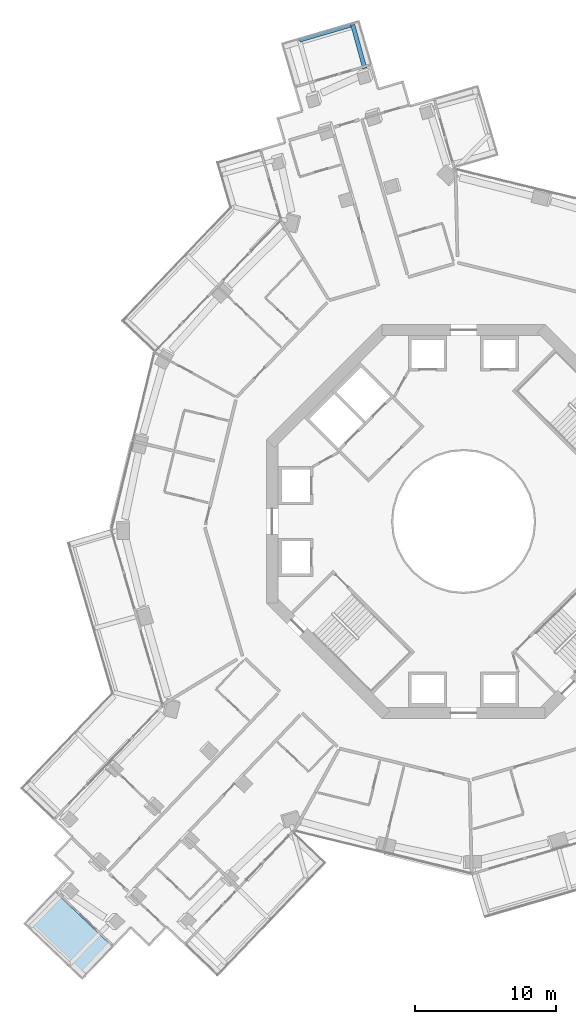
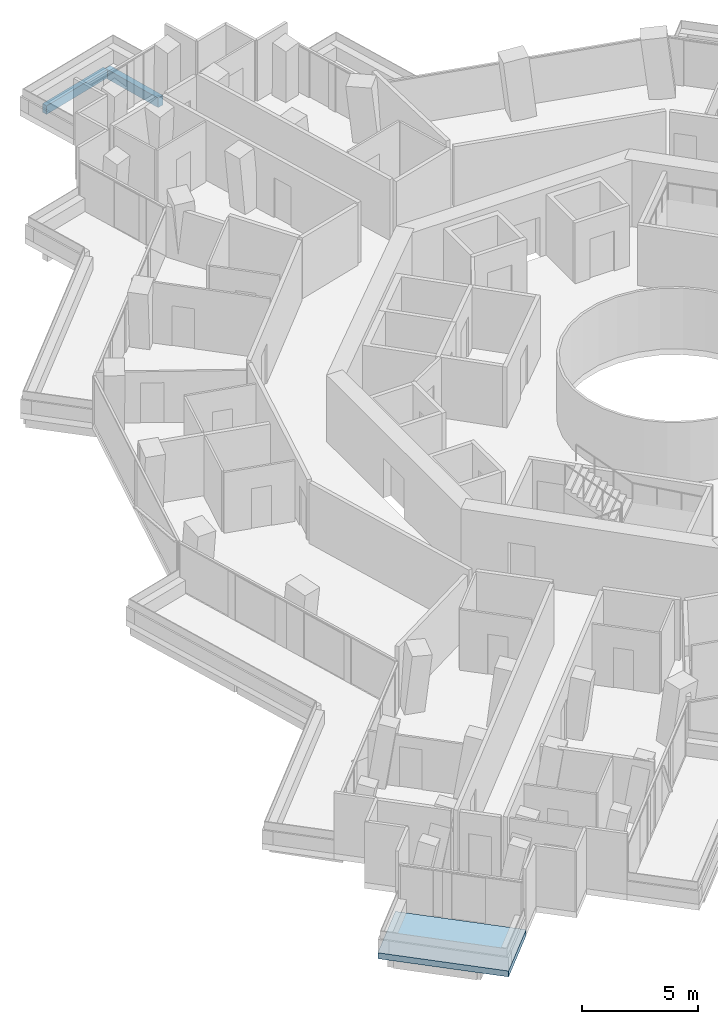
# One storey, part 11 of 25: 2 beams, 1 slab.
"""IFC4 building model written with IfcOpenShell, lengths in metres."""

from ifc_helpers import new_model, si_unit, direction, frame, origin, origin_2d, place, context, subcontext, project, spatial, polyline, rectangle, outline, extrude, material, layer, layer_set, material_profile, profile_set, type_object, element, save


model = new_model("IFC4")

# Units and contexts
model_context = context("Model", 3, precision=1e-05, world=origin(), true_north=direction((0.0, 1.0)))
body_context = subcontext(model_context, "Body", "Model", "MODEL_VIEW")
ifc_project = project(units=[si_unit("LENGTHUNIT", "METRE"), si_unit("AREAUNIT", "SQUARE_METRE"), si_unit("VOLUMEUNIT", "CUBIC_METRE"), si_unit("PLANEANGLEUNIT", "RADIAN"), si_unit("MASSUNIT", "GRAM", prefix="KILO")], contexts=[model_context])

# Site, building, storey
site_placement = place(None, origin())
site = spatial("IfcSite", under=ifc_project, at=site_placement, CompositionType="ELEMENT")
building_placement = place(site_placement, origin())
building = spatial("IfcBuilding", under=site, at=building_placement, Name="Verdalira Terraces Hotel", CompositionType="ELEMENT")
storey_placement = place(building_placement, frame((0.0, 0.0, 100.0)))
storey = spatial("IfcBuildingStorey", under=building, at=storey_placement, Name="L23", CompositionType="ELEMENT", Elevation=100.0)

# Beams
ifc_material_1 = material(Name="Concrete C40", Category="concrete")
ifc_material_profile_1 = material_profile(ifc_material_1, rectangle(XDim=0.300049, YDim=0.5, at=origin_2d()), Name="RC 300X500")
ifc_profile_set_1 = profile_set([ifc_material_profile_1], Name="Concrete C40")
beam_type_1 = type_object("IfcBeamType", Name="Balcony cantilever beam RC 300X500 C40", PredefinedType="BEAM", material=ifc_profile_set_1)
beam_1_placement = place(storey_placement, frame((-7.021729, 32.186279, -0.560059), z_axis=(-0.264896177, 0.964276939, 0.0), x_axis=(-0.964276939, -0.264896177, 0.0)))
element("IfcBeam", 1, at=beam_1_placement, inside=storey, type_object=beam_type_1, Name="Balcony cantilever beam R05-1", PredefinedType="BEAM", context=body_context, shape_type="SweptSolid", body=[
    extrude(rectangle(XDim=0.300049, YDim=0.5, at=origin_2d()), origin(), (0.0, 0.0, 1.0), 3.20459),
])
ifc_material_2 = material(Name="Concrete C40", Category="concrete")
ifc_material_profile_2 = material_profile(ifc_material_2, rectangle(XDim=0.25, YDim=0.449951, at=origin_2d()), Name="RC 250X450")
ifc_profile_set_2 = profile_set([ifc_material_profile_2], Name="Concrete C40")
beam_type_2 = type_object("IfcBeamType", Name="Balcony edge beam RC 250X450 C40", PredefinedType="BEAM", material=ifc_profile_set_2)
beam_2_placement = place(storey_placement, frame((-8.014404, 35.234131, -0.534912), z_axis=(-0.959710306, -0.28099133, 0.0), x_axis=(0.28099133, -0.959710306, 0.0)))
element("IfcBeam", 2, at=beam_2_placement, inside=storey, type_object=beam_type_2, Name="Balcony edge beam R05-1", PredefinedType="BEAM", context=body_context, shape_type="SweptSolid", body=[
    extrude(rectangle(XDim=0.25, YDim=0.449951, at=origin_2d()), origin(), (0.0, 0.0, 1.0), 3.791748),
])

# Slab
ifc_material_3 = material(Name="Precast concrete C40/50", Category="concrete")
ifc_layer = layer(ifc_material_3, 0.31005859375)
ifc_layer_set = layer_set([ifc_layer], Name="Balcony deck 310")
slab_type = type_object("IfcSlabType", Name="Balcony deck 310", PredefinedType="FLOOR", material=ifc_layer_set)
slab_placement = place(storey_placement, frame((0.0, 0.0, -0.310059)))
element("IfcSlab", 3, at=slab_placement, inside=storey, type_object=slab_type, Name="Balcony deck", PredefinedType="FLOOR", context=body_context, shape_type="SweptSolid", body=[
    extrude(outline(polyline([(-27.093262, -32.570312), (-24.883301, -30.256104), (-29.077881, -26.250488), (-31.287842, -28.564697), (-27.093262, -32.570312)])), origin(), (0.0, 0.0, 1.0), 0.310059),
])

save(model, "model.ifc")
